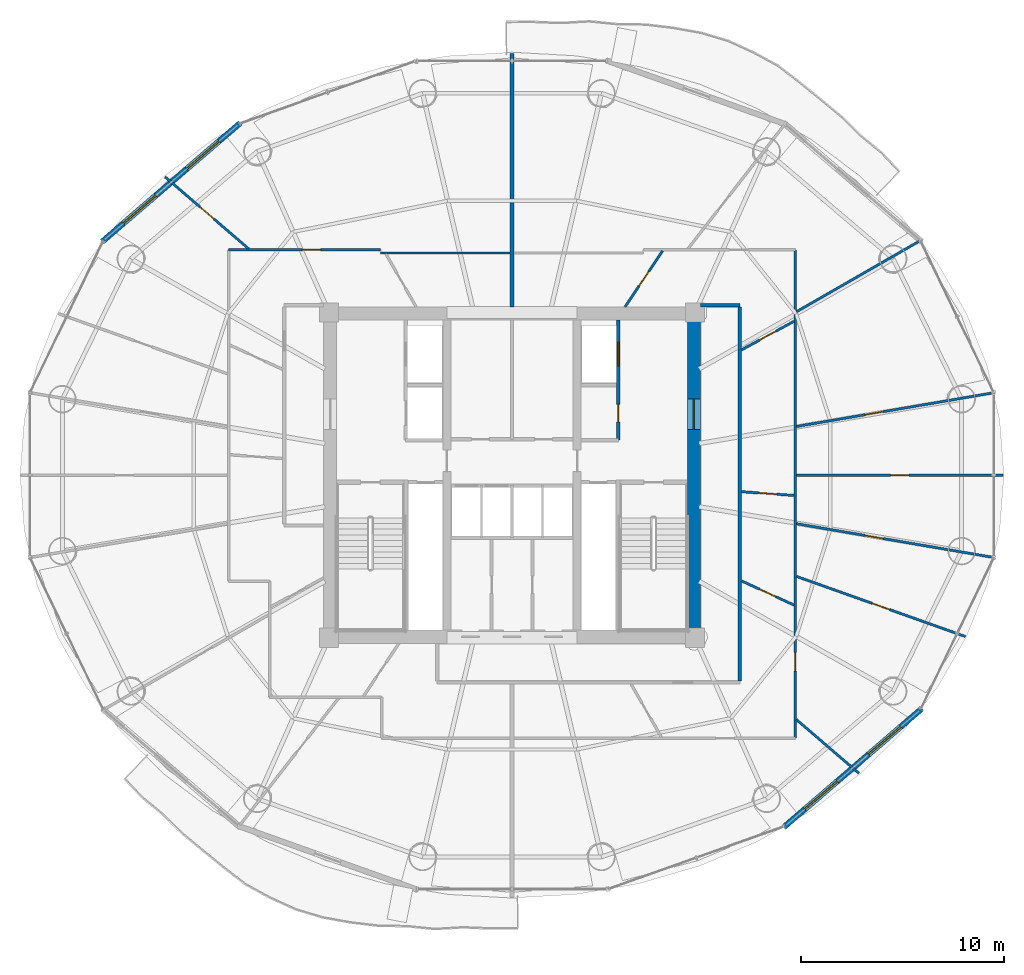
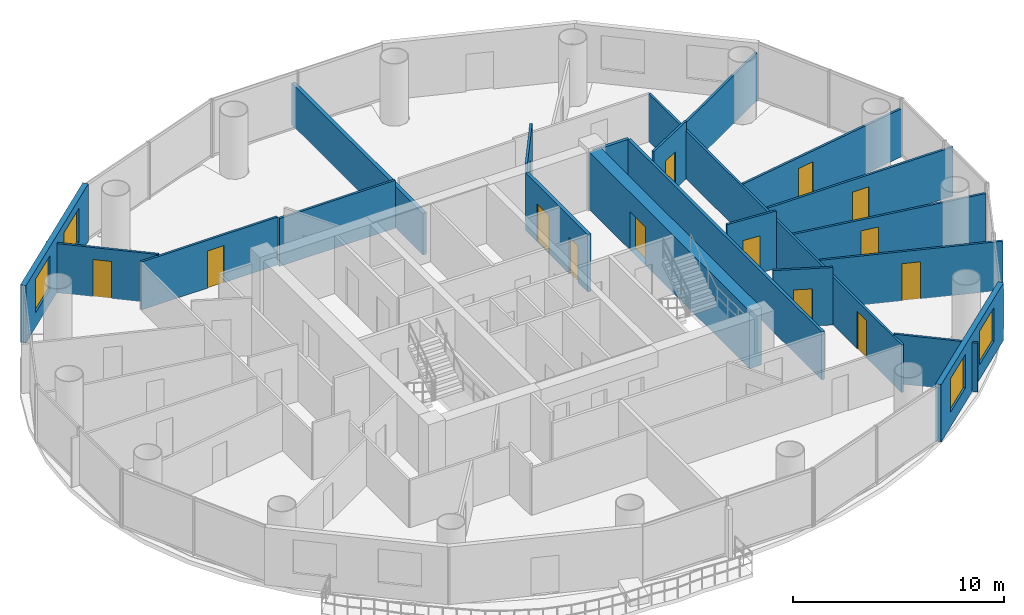
# One storey, part 22 of 26: 21 walls, 14 doors, 4 windows, 18 openings.
"""IFC4 building model written with IfcOpenShell, lengths in metres."""

import ifcopenshell
import ifcopenshell.guid

model = None  # the IFC model being written
_history = None  # IfcOwnerHistory: only IFC2X3 demands one
_inside = {}  # id of a spatial element -> (the spatial element, [elements in it])
_under = {}  # id of a project, library or spatial element -> (it, [spatial elements below it])
_declared = {}  # id of a project -> (the project, [libraries it declares])
_typed = {}  # id of a type object -> (the type object, [elements of that type])
_made_of = {}  # id of a material, layer set ... -> (it, [elements and type objects made of it])


def new_model(schema):
    """Start an empty IFC model of exactly this schema.

    Asked for "IFC4X3", IfcOpenShell would pick the latest addendum, in which some entities
    have other attributes; the version numbers below select the first issue.
    IFC2X3 requires an IfcOwnerHistory on every rooted entity: one is made here for all.
    """
    global model, _history
    if schema == "IFC4X3":
        model = ifcopenshell.file(schema_version=(4, 3, 0, 0))
    else:
        model = ifcopenshell.file(schema=schema)
    _inside.clear()
    _under.clear()
    _declared.clear()
    _typed.clear()
    _made_of.clear()
    _history = None
    if model.schema == "IFC2X3":
        org = make("IfcOrganization", Name="unknown")
        user = make(
            "IfcPersonAndOrganization",
            ThePerson=make("IfcPerson", FamilyName="unknown"),
            TheOrganization=org,
        )
        app = make(
            "IfcApplication",
            ApplicationDeveloper=org,
            Version="unknown",
            ApplicationFullName="unknown",
            ApplicationIdentifier="unknown",
        )
        _history = make(
            "IfcOwnerHistory",
            OwningUser=user,
            OwningApplication=app,
            ChangeAction="ADDED",
            CreationDate=0,
        )
    return model


def make(cls, **values):
    """One entity of the class cls with the attributes given. An attribute that is None is left unset."""
    return model.create_entity(
        cls, **{name: value for name, value in values.items() if value is not None}
    )


def rooted(cls, **values):
    """An entity with a GlobalId (a new one), such as an element, a storey or a relation."""
    return make(cls, GlobalId=ifcopenshell.guid.new(), OwnerHistory=_history, **values)


def si_unit(unit_type, name, prefix=None):
    """IfcSIUnit, for example si_unit("LENGTHUNIT", "METRE", prefix="MILLI")."""
    return make("IfcSIUnit", UnitType=unit_type, Prefix=prefix, Name=name)


def assignment(units):
    """IfcUnitAssignment: the units of a project."""
    return None if units is None else make("IfcUnitAssignment", Units=units)


def point(xyz):
    """IfcCartesianPoint."""
    return None if xyz is None else make("IfcCartesianPoint", Coordinates=xyz)


def direction(xyz):
    """IfcDirection."""
    return None if xyz is None else make("IfcDirection", DirectionRatios=xyz)


def frame(location, z_axis=None, x_axis=None):
    """IfcAxis2Placement3D, a coordinate frame: its origin and axes. An axis left out is left unset."""
    return make(
        "IfcAxis2Placement3D",
        Location=point(location),
        Axis=direction(z_axis),
        RefDirection=direction(x_axis),
    )


def frame_2d(location, x_axis=None):
    """IfcAxis2Placement2D, a coordinate frame in the plane: its origin and x axis."""
    return make(
        "IfcAxis2Placement2D", Location=point(location), RefDirection=direction(x_axis)
    )


def origin():
    """The frame at (0, 0, 0) with its axes left unset."""
    return frame((0.0, 0.0, 0.0))


def place(relative_to, where):
    """IfcLocalPlacement: puts the frame where relative to a parent placement (None: the world)."""
    return make(
        "IfcLocalPlacement", PlacementRelTo=relative_to, RelativePlacement=where
    )


def context(
    kind, dimensions, precision=None, world=None, true_north=None, identifier=None
):
    """IfcGeometricRepresentationContext, for example the 3D "Model" context."""
    return make(
        "IfcGeometricRepresentationContext",
        ContextIdentifier=identifier,
        ContextType=kind,
        CoordinateSpaceDimension=dimensions,
        Precision=precision,
        WorldCoordinateSystem=world,
        TrueNorth=true_north,
    )


def subcontext(parent, identifier, kind, view, scale=None):
    """IfcGeometricRepresentationSubContext, for example "Body" below "Model"."""
    return make(
        "IfcGeometricRepresentationSubContext",
        ContextIdentifier=identifier,
        ContextType=kind,
        ParentContext=parent,
        TargetScale=scale,
        TargetView=view,
    )


def project(units=None, contexts=None):
    """IfcProject with its units and contexts."""
    return rooted(
        "IfcProject",
        Name="project",
        RepresentationContexts=contexts,
        UnitsInContext=assignment(units),
    )


def spatial(cls, under=None, at=None, **own):
    """A site, building, storey or space (cls), placed at a placement, below another one or the project."""
    s = rooted(cls, ObjectPlacement=at, **own)
    if under is not None:
        _under.setdefault(under.id(), (under, []))[1].append(s)
    return s


def profile(cls, at=None, kind="AREA", **sizes):
    """A parametric profile (cls). Its sizes go by their IFC names, for example OverallWidth=200.0."""
    return make(cls, ProfileType=kind, Position=at, **sizes)


def rectangle(**sizes):
    """IfcRectangleProfileDef."""
    return profile("IfcRectangleProfileDef", **sizes)


def extrude(swept, where, along, depth):
    """IfcExtrudedAreaSolid: the profile swept, set in the frame where, extruded along a direction by depth."""
    return make(
        "IfcExtrudedAreaSolid",
        SweptArea=swept,
        Position=where,
        ExtrudedDirection=direction(along),
        Depth=depth,
    )


def shape(context_of_items, identifier, shape_type, items):
    """IfcShapeRepresentation: the items that make up one representation, for example the "Body"."""
    return make(
        "IfcShapeRepresentation",
        ContextOfItems=context_of_items,
        RepresentationIdentifier=identifier,
        RepresentationType=shape_type,
        Items=items,
    )


def source(mapping_origin, context_of_items, identifier, shape_type, items):
    """IfcRepresentationMap: a shape defined once, which mapped items show again and again."""
    return make(
        "IfcRepresentationMap",
        MappingOrigin=mapping_origin,
        MappedRepresentation=shape(context_of_items, identifier, shape_type, items),
    )


def transform(
    local_origin,
    x_axis=None,
    y_axis=None,
    z_axis=None,
    scale=None,
    scale2=None,
    scale3=None,
    uniform=True,
):
    """IfcCartesianTransformationOperator3D, or its non-uniform kind. x_axis, y_axis, z_axis: its Axis1, 2, 3."""
    if uniform:
        return make(
            "IfcCartesianTransformationOperator3D",
            Axis1=direction(x_axis),
            Axis2=direction(y_axis),
            LocalOrigin=point(local_origin),
            Scale=scale,
            Axis3=direction(z_axis),
        )
    return make(
        "IfcCartesianTransformationOperator3DnonUniform",
        Axis1=direction(x_axis),
        Axis2=direction(y_axis),
        LocalOrigin=point(local_origin),
        Scale=scale,
        Axis3=direction(z_axis),
        Scale2=scale2,
        Scale3=scale3,
    )


def mapped(mapping_source, mapping_target):
    """IfcMappedItem: shows the shape of a source again, moved by a transform."""
    return make(
        "IfcMappedItem", MappingSource=mapping_source, MappingTarget=mapping_target
    )


def material(Name=None, Category=None):
    """IfcMaterial."""
    return make("IfcMaterial", Name=Name, Category=Category)


def layer(
    of_material, thickness, ventilated=None, Name=None, Category=None, Priority=None
):
    """IfcMaterialLayer: one layer of a wall or slab, of a material (None: an air gap)."""
    return make(
        "IfcMaterialLayer",
        Material=of_material,
        LayerThickness=thickness,
        IsVentilated=ventilated,
        Name=Name,
        Category=Category,
        Priority=Priority,
    )


def layer_set(layers, Name=None):
    """IfcMaterialLayerSet."""
    return make("IfcMaterialLayerSet", MaterialLayers=layers, LayerSetName=Name)


def made_of(thing, what):
    """Note that an element or type object is made of a material, layer set ...; save() writes the relation."""
    if what is not None:
        _made_of.setdefault(what.id(), (what, []))[1].append(thing)
    return thing


def type_object(cls, material=None, **own):
    """A type object (cls), such as IfcWallType, which elements share."""
    return made_of(rooted(cls, **own), material)


def element(
    cls,
    number,
    at=None,
    inside=None,
    cuts=None,
    type_object=None,
    material=None,
    context=None,
    identifier="Body",
    shape_type=None,
    held_by="IfcProductDefinitionShape",
    body=None,
    shapes=None,
    **own,
):
    """One element of the class cls, such as IfcWall. Its Tag is "e" and its number.

    at: its placement. inside: the storey or other place that contains it. cuts: it is an
    opening in that element (IfcRelVoidsElement). A single representation is given by context,
    identifier, shape_type and body (its items); several are given by shapes. held_by: the class
    of the entity that holds the representations. save() writes the other relations.
    """
    e = rooted(cls, Tag="e%d" % number, ObjectPlacement=at, **own)
    if body is not None:
        shapes = [shape(context, identifier, shape_type, body)]
    if shapes is not None:
        e.Representation = make(held_by, Representations=shapes)
    if inside is not None:
        _inside.setdefault(inside.id(), (inside, []))[1].append(e)
    if cuts is not None:
        rooted(
            "IfcRelVoidsElement", RelatingBuildingElement=cuts, RelatedOpeningElement=e
        )
    if type_object is not None:
        _typed.setdefault(type_object.id(), (type_object, []))[1].append(e)
    return made_of(e, material)


def fill(opening, filler):
    """IfcRelFillsElement: the door or window that sits in an opening."""
    return rooted(
        "IfcRelFillsElement",
        RelatingOpeningElement=opening,
        RelatedBuildingElement=filler,
    )


def aggregate(whole, parts):
    """IfcRelAggregates: a whole, such as a stair, and the parts it consists of."""
    return rooted("IfcRelAggregates", RelatingObject=whole, RelatedObjects=parts)


def save(model, path):
    """Write the relations noted so far, then the file.

    IfcRelAggregates (storeys below a building ...), IfcRelContainedInSpatialStructure (elements
    in a storey), IfcRelDefinesByType, IfcRelAssociatesMaterial and IfcRelDeclares: one each for
    every whole, place, type object, material and project.
    """
    for whole, parts in _under.values():
        aggregate(whole, parts)
    for where, things in _inside.values():
        rooted(
            "IfcRelContainedInSpatialStructure",
            RelatedElements=things,
            RelatingStructure=where,
        )
    for kind, things in _typed.values():
        rooted("IfcRelDefinesByType", RelatedObjects=things, RelatingType=kind)
    for what, things in _made_of.values():
        rooted("IfcRelAssociatesMaterial", RelatedObjects=things, RelatingMaterial=what)
    for by, libraries in _declared.values():
        rooted("IfcRelDeclares", RelatingContext=by, RelatedDefinitions=libraries)
    model.write(path)


model = new_model("IFC4")

# Units and contexts
model_context = context("Model", 3, precision=1e-05, world=origin(), true_north=direction((-0.2419218956, 0.970295726276)))
body_context = subcontext(model_context, "Body", "Model", "MODEL_VIEW")
ifc_project = project(units=[si_unit("LENGTHUNIT", "METRE"), si_unit("AREAUNIT", "SQUARE_METRE"), si_unit("VOLUMEUNIT", "CUBIC_METRE"), si_unit("PLANEANGLEUNIT", "RADIAN"), si_unit("MASSUNIT", "GRAM", prefix="KILO")], contexts=[model_context])

# Site, building, storey
site_placement = place(None, origin())
site = spatial("IfcSite", under=ifc_project, at=site_placement, CompositionType="ELEMENT")
building_placement = place(site_placement, origin())
building = spatial("IfcBuilding", under=site, at=building_placement, Name="Cobrevalo Terracotta Tower", CompositionType="ELEMENT")
storey_placement = place(building_placement, frame((0.0, 0.0, 167.800048828125)))
storey = spatial("IfcBuildingStorey", under=building, at=storey_placement, Name="L44", CompositionType="ELEMENT", Elevation=167.800048828125)

# Wall, opening, door
ifc_material_1 = material(Name="Concrete C55", Category="concrete")
ifc_layer_1 = layer(ifc_material_1, 0.64990234375)
ifc_layer_set_1 = layer_set([ifc_layer_1], Name="Concrete C55")
wall_type_1 = type_object("IfcWallType", Name="Core shear wall 650 mm Concrete C55", PredefinedType="SHEAR", material=ifc_layer_set_1)
wall_1_placement = place(storey_placement, frame((46.949951171875, 19.175048828125, 0.0), z_axis=(0.0, 0.0, 1.0), x_axis=(0.0, 1.0, 0.0)))
wall_1 = element("IfcWall", 1, at=wall_1_placement, inside=storey, type_object=wall_type_1, Name="L44 east core shear wall", PredefinedType="SHEAR", context=body_context, shape_type="SweptSolid", body=[
    extrude(rectangle(XDim=15.25, YDim=0.64990234375, at=frame_2d((7.625, 0.0))), origin(), (0.0, 0.0, 1.0), 3.329833984375),
])
opening_1_placement = place(wall_1_placement, frame((9.875, 0.0, 0.0)))
opening_1 = element("IfcOpeningElement", 2, at=opening_1_placement, cuts=wall_1, Name="Opening ID-14", PredefinedType="OPENING", context=body_context, shape_type="SweptSolid", body=[
    extrude(rectangle(XDim=1.5, YDim=2.199951171875, at=frame_2d((0.75, 1.10009765625))), frame((0.0, 0.3349609375, 0.0), z_axis=(0.0, -1.0, 0.0), x_axis=(1.0, 0.0, 0.0)), (0.0, 0.0, 1.0), 0.669921875),
])
ifc_material_2 = material(Name="Galvanized fire-rated steel", Category="steel")
door_type_1 = type_object("IfcDoorType", Name="Core cross-lobby double fire door 1500x2200 EI 90", OperationType="NOTDEFINED", PredefinedType="DOOR", material=ifc_material_2)
shared_shape_1 = source(origin(), body_context, "Body", "SweptSolid", [
    extrude(rectangle(XDim=1.5, YDim=2.199951171875, at=frame_2d((0.75, 1.10009765625))), frame((0.0, 0.02490234375, 0.0), z_axis=(0.0, -1.0, 0.0), x_axis=(1.0, 0.0, 0.0)), (0.0, 0.0, 1.0), 0.050048828125),
])
door_1_placement = place(opening_1_placement, frame((1.5, 0.0, 0.0), z_axis=(0.0, 0.0, 1.0), x_axis=(-1.0, 0.0, 0.0)))
door_1 = element("IfcDoor", 3, at=door_1_placement, inside=storey, type_object=door_type_1, Name="L44 east firefighting lobby entrance door", OperationType="DOUBLE_DOOR_SINGLE_SWING", OverallHeight=2.199951171875, OverallWidth=1.5, PredefinedType="DOOR", context=body_context, shape_type="MappedRepresentation", body=[
    mapped(shared_shape_1, transform((0.0, 0.0, 0.0), scale=1.0)),
])
fill(opening_1, door_1)

# Walls
ifc_material_3 = material(Name="Gypsum board on steel stud", Category="steel")
ifc_layer_2 = layer(ifc_material_3, 0.159912109375)
ifc_layer_set_2 = layer_set([ifc_layer_2], Name="Gypsum board on steel stud")
wall_type_2 = type_object("IfcWallType", Name="Fire-rated corridor acoustic partition wall 160 mm", PredefinedType="PARTITIONING", material=ifc_layer_set_2)
wall_2_placement = place(storey_placement, frame((49.205078125, 16.675048828125, 0.0), z_axis=(0.0, 0.0, 1.0), x_axis=(0.0, 1.0, 0.0)))
element("IfcWall", 4, at=wall_2_placement, inside=storey, type_object=wall_type_2, Name="L44 interior partition IW-L44-COR-E", PredefinedType="PARTITIONING", context=body_context, shape_type="SweptSolid", body=[
    extrude(rectangle(XDim=18.39990234375, YDim=0.159912109375, at=frame_2d((9.199951171875, 0.0))), origin(), (0.0, 0.0, 1.0), 2.77587890625),
])
wall_3_placement = place(storey_placement, frame((47.27490234375, 35.155029296875, 0.0), z_axis=(0.0, 0.0, 1.0), x_axis=(1.0, 0.0, 0.0)))
element("IfcWall", 5, at=wall_3_placement, inside=storey, type_object=wall_type_2, Name="L44 interior partition IW-L44-COR-EN-CAP", PredefinedType="PARTITIONING", context=body_context, shape_type="SweptSolid", body=[
    extrude(rectangle(XDim=1.93017578125, YDim=0.159912109375, at=frame_2d((0.965087890625, 0.0))), origin(), (0.0, 0.0, 1.0), 2.77587890625),
])

# Wall, openings, doors
ifc_layer_3 = layer(ifc_material_3, 0.179931640625)
ifc_layer_set_3 = layer_set([ifc_layer_3], Name="Gypsum board on steel stud")
wall_type_3 = type_object("IfcWallType", Name="Fire-rated shaft & lobby acoustic partition wall 180 mm", PredefinedType="PARTITIONING", material=ifc_layer_set_3)
wall_4_placement = place(storey_placement, frame((43.22998046875, 28.52001953125, 0.0), z_axis=(0.0, 0.0, 1.0), x_axis=(0.0, 1.0, 0.0)))
wall_4 = element("IfcWall", 6, at=wall_4_placement, inside=storey, type_object=wall_type_3, Name="L44 interior partition IW-L44-FF2-E", PredefinedType="PARTITIONING", context=body_context, shape_type="SweptSolid", body=[
    extrude(rectangle(XDim=5.905029296875, YDim=0.179931640625, at=frame_2d((2.95263671875, 0.0))), origin(), (0.0, 0.0, 1.0), 3.329833984375),
])
opening_2_placement = place(wall_4_placement, frame((0.905029296875, 0.0, 0.0)))
opening_2 = element("IfcOpeningElement", 7, at=opening_2_placement, cuts=wall_4, Name="Opening ID-22", PredefinedType="OPENING", context=body_context, shape_type="SweptSolid", body=[
    extrude(rectangle(XDim=0.85009765625, YDim=2.10009765625, at=frame_2d((0.425048828125, 1.050048828125))), frame((0.0, 0.10009765625, 0.0), z_axis=(0.0, -1.0, 0.0), x_axis=(1.0, 0.0, 0.0)), (0.0, 0.0, 1.0), 0.199951171875),
])
opening_3_placement = place(wall_4_placement, frame((3.655029296875, 0.0, 0.0)))
opening_3 = element("IfcOpeningElement", 8, at=opening_3_placement, cuts=wall_4, Name="Opening LD-02", PredefinedType="OPENING", context=body_context, shape_type="SweptSolid", body=[
    extrude(rectangle(XDim=1.14990234375, YDim=2.199951171875, at=frame_2d((0.574951171875, 1.10009765625))), frame((0.0, 0.10009765625, 0.0), z_axis=(0.0, -1.0, 0.0), x_axis=(1.0, 0.0, 0.0)), (0.0, 0.0, 1.0), 0.199951171875),
])
ifc_material_4 = material(Name="Powder-coated steel", Category="steel")
door_type_2 = type_object("IfcDoorType", Name="Riser shaft & meter closet fire access door 850x2100 EI 60", OperationType="NOTDEFINED", PredefinedType="DOOR", material=ifc_material_4)
shared_shape_2 = source(origin(), body_context, "Body", "SweptSolid", [
    extrude(rectangle(XDim=0.85009765625, YDim=2.10009765625, at=frame_2d((0.425048828125, 1.050048828125))), frame((0.0, 0.02490234375, 0.0), z_axis=(0.0, -1.0, 0.0), x_axis=(1.0, 0.0, 0.0)), (0.0, 0.0, 1.0), 0.050048828125),
])
door_2_placement = place(opening_2_placement, frame((0.85009765625, 0.0, 0.0), z_axis=(0.0, 0.0, 1.0), x_axis=(-1.0, 0.0, 0.0)))
door_2 = element("IfcDoor", 9, at=door_2_placement, inside=storey, type_object=door_type_2, Name="L44 housekeeping store door", OperationType="SINGLE_SWING_RIGHT", OverallHeight=2.10009765625, OverallWidth=0.85009765625, PredefinedType="DOOR", context=body_context, shape_type="MappedRepresentation", body=[
    mapped(shared_shape_2, transform((0.0, 0.0, 0.0), scale=1.0)),
])
fill(opening_2, door_2)
ifc_material_5 = material(Name="Brushed stainless steel", Category="steel")
door_type_3 = type_object("IfcDoorType", Name="Firefighting lift landing bi-parting sliding door 1150x2200 EI 120", OperationType="DOUBLE_DOOR_SLIDING", PredefinedType="DOOR", material=ifc_material_5)
shared_shape_3 = source(origin(), body_context, "Body", "SweptSolid", [
    extrude(rectangle(XDim=1.14990234375, YDim=2.199951171875, at=frame_2d((0.574951171875, 1.10009765625))), frame((0.0, 0.02490234375, 0.0), z_axis=(0.0, -1.0, 0.0), x_axis=(1.0, 0.0, 0.0)), (0.0, 0.0, 1.0), 0.050048828125),
])
door_3_placement = place(opening_3_placement, origin())
door_3 = element("IfcDoor", 10, at=door_3_placement, inside=storey, type_object=door_type_3, Name="L44 lift landing door FF-2", OperationType="DOUBLE_DOOR_SLIDING", OverallHeight=2.199951171875, OverallWidth=1.14990234375, PredefinedType="DOOR", context=body_context, shape_type="MappedRepresentation", body=[
    mapped(shared_shape_3, transform((0.0, 0.0, 0.0), scale=1.0)),
])
fill(opening_3, door_3)

# Wall
ifc_material_6 = material(Name="Autoclaved aerated concrete block", Category="concrete")
ifc_layer_4 = layer(ifc_material_6, 0.199951171875)
ifc_layer_set_4 = layer_set([ifc_layer_4], Name="Autoclaved aerated concrete block")
wall_type_4 = type_object("IfcWallType", Name="Fire-rated stair, shaft & demising masonry wall 200 mm", PredefinedType="PARTITIONING", material=ifc_layer_set_4)
wall_5_placement = place(storey_placement, frame((38.0, 35.074951171875, 0.0), z_axis=(0.0, 0.0, 1.0), x_axis=(0.0, 1.0, 0.0)))
element("IfcWall", 11, at=wall_5_placement, inside=storey, type_object=wall_type_4, Name="L44 interior partition IW-L44-DEM-1", PredefinedType="PARTITIONING", context=body_context, shape_type="SweptSolid", body=[
    extrude(rectangle(XDim=12.465087890625, YDim=0.199951171875, at=frame_2d((6.232421875, 0.0))), origin(), (0.0, 0.0, 1.0), 2.4150390625),
])

# Wall, openings, windows
ifc_layer_5 = layer(ifc_material_6, 0.280029296875)
ifc_layer_set_5 = layer_set([ifc_layer_5], Name="Autoclaved aerated concrete block")
wall_type_5 = type_object("IfcWallType", Name="Insulated tower spandrel & pier wall 280 mm with terracotta rainscreen", PredefinedType="SOLIDWALL", material=ifc_layer_set_5)
wall_6_placement = place(storey_placement, frame((24.632568359375, 44.121826171875, 0.0), z_axis=(0.0, 0.0, 1.0), x_axis=(-0.75843401647, -0.651749831348, 0.0)))
wall_6 = element("IfcWall", 12, at=wall_6_placement, inside=storey, type_object=wall_type_5, Name="L44 terracotta rainscreen pier wall S06", PredefinedType="SOLIDWALL", context=body_context, shape_type="SweptSolid", body=[
    extrude(rectangle(XDim=8.952392578125, YDim=0.280029296875, at=frame_2d((4.47607421875, 0.0))), origin(), (0.0, 0.0, 1.0), 3.329833984375),
])
opening_4_placement = place(wall_6_placement, frame((1.3671875, 0.0, 0.85009765625)))
opening_4 = element("IfcOpeningElement", 13, at=opening_4_placement, cuts=wall_6, Name="Opening WN-10", PredefinedType="OPENING", context=body_context, shape_type="SweptSolid", body=[
    extrude(rectangle(XDim=2.10009765625, YDim=1.949951171875, at=frame_2d((1.050048828125, 0.97509765625))), frame((0.0, 0.14990234375, 0.0), z_axis=(0.0, -1.0, 0.0), x_axis=(1.0, 0.0, 0.0)), (0.0, 0.0, 1.0), 0.300048828125),
])
opening_5_placement = place(wall_6_placement, frame((5.4853515625, 0.0, 0.85009765625)))
opening_5 = element("IfcOpeningElement", 14, at=opening_5_placement, cuts=wall_6, Name="Opening WN-10", PredefinedType="OPENING", context=body_context, shape_type="SweptSolid", body=[
    extrude(rectangle(XDim=2.10009765625, YDim=1.949951171875, at=frame_2d((1.050048828125, 0.97509765625))), frame((0.0, 0.14990234375, 0.0), z_axis=(0.0, -1.0, 0.0), x_axis=(1.0, 0.0, 0.0)), (0.0, 0.0, 1.0), 0.300048828125),
])
ifc_material_7 = material(Name="Solar-control low-E double glazing", Category="glass")
window_type = type_object("IfcWindowType", Name="Wide panoramic low-E aluminium window 2100x1950", PartitioningType="SINGLE_PANEL", PredefinedType="WINDOW", material=ifc_material_7)
shared_shape_4 = source(origin(), body_context, "Body", "SweptSolid", [
    extrude(rectangle(XDim=2.10009765625, YDim=1.949951171875, at=frame_2d((1.050048828125, 0.97509765625))), frame((0.0, 0.030029296875, 0.0), z_axis=(0.0, -1.0, 0.0), x_axis=(1.0, 0.0, 0.0)), (0.0, 0.0, 1.0), 0.06005859375),
])
window_1_placement = place(opening_4_placement, origin())
window_1 = element("IfcWindow", 15, at=window_1_placement, inside=storey, type_object=window_type, Name="L44 suite window S06A", OverallHeight=1.949951171875, OverallWidth=2.10009765625, PartitioningType="SINGLE_PANEL", PredefinedType="WINDOW", context=body_context, shape_type="MappedRepresentation", body=[
    mapped(shared_shape_4, transform((0.0, 0.0, 0.0), scale=1.0)),
])
fill(opening_4, window_1)
window_2_placement = place(opening_5_placement, origin())
window_2 = element("IfcWindow", 16, at=window_2_placement, inside=storey, type_object=window_type, Name="L44 suite window S06B", OverallHeight=1.949951171875, OverallWidth=2.10009765625, PartitioningType="SINGLE_PANEL", PredefinedType="WINDOW", context=body_context, shape_type="MappedRepresentation", body=[
    mapped(shared_shape_4, transform((0.0, 0.0, 0.0), scale=1.0)),
])
fill(opening_5, window_2)

wall_7_placement = place(storey_placement, frame((51.367431640625, 9.478271484375, 0.0), z_axis=(0.0, 0.0, 1.0), x_axis=(0.75843401647, 0.651749831348, 0.0)))
wall_7 = element("IfcWall", 17, at=wall_7_placement, inside=storey, type_object=wall_type_5, Name="L44 terracotta rainscreen pier wall S14", PredefinedType="SOLIDWALL", context=body_context, shape_type="SweptSolid", body=[
    extrude(rectangle(XDim=8.952392578125, YDim=0.280029296875, at=frame_2d((4.47607421875, 0.0))), origin(), (0.0, 0.0, 1.0), 3.329833984375),
])
opening_6_placement = place(wall_7_placement, frame((1.3671875, 0.0, 0.85009765625)))
opening_6 = element("IfcOpeningElement", 18, at=opening_6_placement, cuts=wall_7, Name="Opening WN-10", PredefinedType="OPENING", context=body_context, shape_type="SweptSolid", body=[
    extrude(rectangle(XDim=2.10009765625, YDim=1.949951171875, at=frame_2d((1.050048828125, 0.97509765625))), frame((0.0, 0.14990234375, 0.0), z_axis=(0.0, -1.0, 0.0), x_axis=(1.0, 0.0, 0.0)), (0.0, 0.0, 1.0), 0.300048828125),
])
opening_7_placement = place(wall_7_placement, frame((5.4853515625, 0.0, 0.85009765625)))
opening_7 = element("IfcOpeningElement", 19, at=opening_7_placement, cuts=wall_7, Name="Opening WN-10", PredefinedType="OPENING", context=body_context, shape_type="SweptSolid", body=[
    extrude(rectangle(XDim=2.10009765625, YDim=1.949951171875, at=frame_2d((1.050048828125, 0.97509765625))), frame((0.0, 0.14990234375, 0.0), z_axis=(0.0, -1.0, 0.0), x_axis=(1.0, 0.0, 0.0)), (0.0, 0.0, 1.0), 0.300048828125),
])
window_3_placement = place(opening_6_placement, origin())
window_3 = element("IfcWindow", 20, at=window_3_placement, inside=storey, type_object=window_type, Name="L44 suite window S14A", OverallHeight=1.949951171875, OverallWidth=2.10009765625, PartitioningType="SINGLE_PANEL", PredefinedType="WINDOW", context=body_context, shape_type="MappedRepresentation", body=[
    mapped(shared_shape_4, transform((0.0, 0.0, 0.0), scale=1.0)),
])
fill(opening_6, window_3)
window_4_placement = place(opening_7_placement, origin())
window_4 = element("IfcWindow", 21, at=window_4_placement, inside=storey, type_object=window_type, Name="L44 suite window S14B", OverallHeight=1.949951171875, OverallWidth=2.10009765625, PartitioningType="SINGLE_PANEL", PredefinedType="WINDOW", context=body_context, shape_type="MappedRepresentation", body=[
    mapped(shared_shape_4, transform((0.0, 0.0, 0.0), scale=1.0)),
])
fill(opening_7, window_4)

# Wall, opening, door
ifc_layer_6 = layer(ifc_material_3, 0.1201171875)
ifc_layer_set_6 = layer_set([ifc_layer_6], Name="Gypsum board on steel stud")
wall_type_6 = type_object("IfcWallType", Name="Residential internal acoustic stud partition 120 mm", PredefinedType="PARTITIONING", material=ifc_layer_set_6)
wall_8_placement = place(storey_placement, frame((24.06494140625, 37.885009765625, 0.0), z_axis=(0.0, 0.0, 1.0), x_axis=(1.0, 0.0, 0.0)))
wall_8 = element("IfcWall", 22, at=wall_8_placement, inside=storey, type_object=wall_type_6, Name="L44 interior partition IW-L44-U1-RING6_0", PredefinedType="PARTITIONING", context=body_context, shape_type="SweptSolid", body=[
    extrude(rectangle(XDim=7.469970703125, YDim=0.1201171875, at=frame_2d((3.73486328125, 0.0))), origin(), (0.0, 0.0, 1.0), 2.77587890625),
])
opening_8_placement = place(wall_8_placement, frame((3.619873046875, 0.0, 0.0)))
opening_8 = element("IfcOpeningElement", 23, at=opening_8_placement, cuts=wall_8, Name="Opening ID-12", PredefinedType="OPENING", context=body_context, shape_type="SweptSolid", body=[
    extrude(rectangle(XDim=0.89990234375, YDim=2.14990234375, at=frame_2d((0.449951171875, 1.074951171875))), frame((0.0, 0.070068359375, 0.0), z_axis=(0.0, -1.0, 0.0), x_axis=(1.0, 0.0, 0.0)), (0.0, 0.0, 1.0), 0.14013671875),
])
ifc_material_8 = material(Name="Engineered timber", Category="wood")
door_type_4 = type_object("IfcDoorType", Name="Internal residence & suite timber door 900x2150", OperationType="NOTDEFINED", PredefinedType="DOOR", material=ifc_material_8)
shared_shape_5 = source(origin(), body_context, "Body", "SweptSolid", [
    extrude(rectangle(XDim=0.89990234375, YDim=2.14990234375, at=frame_2d((0.449951171875, 1.074951171875))), frame((0.0, 0.02490234375, 0.0), z_axis=(0.0, -1.0, 0.0), x_axis=(1.0, 0.0, 0.0)), (0.0, 0.0, 1.0), 0.050048828125),
])
door_4_placement = place(opening_8_placement, origin())
door_4 = element("IfcDoor", 24, at=door_4_placement, inside=storey, type_object=door_type_4, Name="Flat L44A Penthouse Living and Dining Room internal door", OperationType="SINGLE_SWING_LEFT", OverallHeight=2.14990234375, OverallWidth=0.89990234375, PredefinedType="DOOR", context=body_context, shape_type="MappedRepresentation", body=[
    mapped(shared_shape_5, transform((0.0, 0.0, 0.0), scale=1.0)),
])
fill(opening_8, door_4)

# Wall
wall_9_placement = place(storey_placement, frame((31.534912109375, 37.72509765625, 0.0), z_axis=(0.0, 0.0, 1.0), x_axis=(1.0, 0.0, 0.0)))
element("IfcWall", 25, at=wall_9_placement, inside=storey, type_object=wall_type_6, Name="L44 interior partition IW-L44-U1-RING8_0", PredefinedType="PARTITIONING", context=body_context, shape_type="SweptSolid", body=[
    extrude(rectangle(XDim=6.363037109375, YDim=0.1201171875, at=frame_2d((3.181640625, 0.0))), origin(), (0.0, 0.0, 1.0), 2.77587890625),
])

# Wall, opening, door
wall_10_placement = place(storey_placement, frame((25.055908203125, 37.92529296875, 0.0), z_axis=(0.0, 0.0, 1.0), x_axis=(-0.758354915574, 0.65184186888, 0.0)))
wall_10 = element("IfcWall", 26, at=wall_10_placement, inside=storey, type_object=wall_type_6, Name="L44 interior partition IW-L44-U1-ORAD1", PredefinedType="PARTITIONING", context=body_context, shape_type="SweptSolid", body=[
    extrude(rectangle(XDim=5.432373046875, YDim=0.1201171875, at=frame_2d((2.71630859375, 0.0))), origin(), (0.0, 0.0, 1.0), 2.845947265625),
])
opening_9_placement = place(wall_10_placement, frame((2.26611328125, 0.0, 0.0)))
opening_9 = element("IfcOpeningElement", 27, at=opening_9_placement, cuts=wall_10, Name="Opening ID-12", PredefinedType="OPENING", context=body_context, shape_type="SweptSolid", body=[
    extrude(rectangle(XDim=0.89990234375, YDim=2.14990234375, at=frame_2d((0.449951171875, 1.074951171875))), frame((0.0, 0.070068359375, 0.0), z_axis=(0.0, -1.0, 0.0), x_axis=(1.0, 0.0, 0.0)), (0.0, 0.0, 1.0), 0.14013671875),
])
door_5_placement = place(opening_9_placement, origin())
door_5 = element("IfcDoor", 28, at=door_5_placement, inside=storey, type_object=door_type_4, Name="Flat L44A Master Bedroom internal door", OperationType="SINGLE_SWING_RIGHT", OverallHeight=2.14990234375, OverallWidth=0.89990234375, PredefinedType="DOOR", context=body_context, shape_type="MappedRepresentation", body=[
    mapped(shared_shape_5, transform((0.0, 0.0, 0.0), scale=1.0)),
])
fill(opening_9, door_5)

wall_11_placement = place(storey_placement, frame((51.93505859375, 37.885009765625, 0.0), z_axis=(0.0, 0.0, 1.0), x_axis=(0.0, -1.0, 0.0)))
wall_11 = element("IfcWall", 29, at=wall_11_placement, inside=storey, type_object=wall_type_6, Name="L44 interior partition IW-L44-U2-RING3_0", PredefinedType="PARTITIONING", context=body_context, shape_type="SweptSolid", body=[
    extrude(rectangle(XDim=24.02001953125, YDim=0.1201171875, at=frame_2d((12.010009765625, 0.0))), origin(), (0.0, 0.0, 1.0), 2.77587890625),
])
opening_10_placement = place(wall_11_placement, frame((19.82080078125, 0.0, 0.0)))
opening_10 = element("IfcOpeningElement", 30, at=opening_10_placement, cuts=wall_11, Name="Opening ID-12", PredefinedType="OPENING", context=body_context, shape_type="SweptSolid", body=[
    extrude(rectangle(XDim=0.89990234375, YDim=2.14990234375, at=frame_2d((0.449951171875, 1.074951171875))), frame((0.0, 0.070068359375, 0.0), z_axis=(0.0, -1.0, 0.0), x_axis=(1.0, 0.0, 0.0)), (0.0, 0.0, 1.0), 0.14013671875),
])
door_6_placement = place(opening_10_placement, origin())
door_6 = element("IfcDoor", 31, at=door_6_placement, inside=storey, type_object=door_type_4, Name="Flat L44B Master Bedroom internal door", OperationType="SINGLE_SWING_RIGHT", OverallHeight=2.14990234375, OverallWidth=0.89990234375, PredefinedType="DOOR", context=body_context, shape_type="MappedRepresentation", body=[
    mapped(shared_shape_5, transform((0.0, 0.0, 0.0), scale=1.0)),
])
fill(opening_10, door_6)

# Wall
wall_12_placement = place(storey_placement, frame((51.98193359375, 14.782470703125, 0.0), z_axis=(0.0, 0.0, 1.0), x_axis=(0.758356837469, -0.651839632935, 0.0)))
element("IfcWall", 32, at=wall_12_placement, inside=storey, type_object=wall_type_6, Name="L44 interior partition IW-L44-U2-ORAD1", PredefinedType="PARTITIONING", context=body_context, shape_type="SweptSolid", body=[
    extrude(rectangle(XDim=4.063720703125, YDim=0.1201171875, at=frame_2d((2.03173828125, 0.0))), origin(), (0.0, 0.0, 1.0), 2.845947265625),
])

# Wall, opening, door
wall_13_placement = place(storey_placement, frame((51.993408203125, 21.818115234375, 0.0), z_axis=(0.0, 0.0, 1.0), x_axis=(0.942077868165, -0.335394231187, 0.0)))
wall_13 = element("IfcWall", 33, at=wall_13_placement, inside=storey, type_object=wall_type_6, Name="L44 interior partition IW-L44-U2-ORAD2", PredefinedType="PARTITIONING", context=body_context, shape_type="SweptSolid", body=[
    extrude(rectangle(XDim=8.816650390625, YDim=0.1201171875, at=frame_2d((4.408203125, 0.0))), origin(), (0.0, 0.0, 1.0), 2.845947265625),
])
opening_11_placement = place(wall_13_placement, frame((3.95849609375, 0.0, 0.0)))
opening_11 = element("IfcOpeningElement", 34, at=opening_11_placement, cuts=wall_13, Name="Opening ID-12", PredefinedType="OPENING", context=body_context, shape_type="SweptSolid", body=[
    extrude(rectangle(XDim=0.89990234375, YDim=2.14990234375, at=frame_2d((0.449951171875, 1.074951171875))), frame((0.0, 0.070068359375, 0.0), z_axis=(0.0, -1.0, 0.0), x_axis=(1.0, 0.0, 0.0)), (0.0, 0.0, 1.0), 0.14013671875),
])
door_7_placement = place(opening_11_placement, origin())
door_7 = element("IfcDoor", 35, at=door_7_placement, inside=storey, type_object=door_type_4, Name="Flat L44B Principal Guest Bedroom internal door", OperationType="SINGLE_SWING_LEFT", OverallHeight=2.14990234375, OverallWidth=0.89990234375, PredefinedType="DOOR", context=body_context, shape_type="MappedRepresentation", body=[
    mapped(shared_shape_5, transform((0.0, 0.0, 0.0), scale=1.0)),
])
fill(opening_11, door_7)

wall_14_placement = place(storey_placement, frame((51.99609375, 24.4072265625, 0.0), z_axis=(0.0, 0.0, 1.0), x_axis=(0.985698378271, -0.168519159369, 0.0)))
wall_14 = element("IfcWall", 36, at=wall_14_placement, inside=storey, type_object=wall_type_6, Name="L44 interior partition IW-L44-U2-ORAD3M1", PredefinedType="PARTITIONING", context=body_context, shape_type="SweptSolid", body=[
    extrude(rectangle(XDim=9.768798828125, YDim=0.1201171875, at=frame_2d((4.88427734375, 0.0))), origin(), (0.0, 0.0, 1.0), 2.77587890625),
])
opening_12_placement = place(wall_14_placement, frame((3.427734375, 0.0, 0.0)))
opening_12 = element("IfcOpeningElement", 37, at=opening_12_placement, cuts=wall_14, Name="Opening ID-12", PredefinedType="OPENING", context=body_context, shape_type="SweptSolid", body=[
    extrude(rectangle(XDim=0.89990234375, YDim=2.14990234375, at=frame_2d((0.449951171875, 1.074951171875))), frame((0.0, 0.070068359375, 0.0), z_axis=(0.0, -1.0, 0.0), x_axis=(1.0, 0.0, 0.0)), (0.0, 0.0, 1.0), 0.14013671875),
])
door_8_placement = place(opening_12_placement, origin())
door_8 = element("IfcDoor", 38, at=door_8_placement, inside=storey, type_object=door_type_4, Name="Flat L44B North Bedroom internal door", OperationType="SINGLE_SWING_RIGHT", OverallHeight=2.14990234375, OverallWidth=0.89990234375, PredefinedType="DOOR", context=body_context, shape_type="MappedRepresentation", body=[
    mapped(shared_shape_5, transform((0.0, 0.0, 0.0), scale=1.0)),
])
fill(opening_12, door_8)

wall_15_placement = place(storey_placement, frame((51.9970703125, 26.800048828125, 0.0), z_axis=(0.0, 0.0, 1.0), x_axis=(1.0, 0.0, 0.0)))
wall_15 = element("IfcWall", 39, at=wall_15_placement, inside=storey, type_object=wall_type_6, Name="L44 interior partition IW-L44-U2-ORAD3", PredefinedType="PARTITIONING", context=body_context, shape_type="SweptSolid", body=[
    extrude(rectangle(XDim=10.142822265625, YDim=0.1201171875, at=frame_2d((5.0712890625, 0.0))), origin(), (0.0, 0.0, 1.0), 2.845947265625),
])
opening_13_placement = place(wall_15_placement, frame((4.62158203125, 0.0, 0.0)))
opening_13 = element("IfcOpeningElement", 40, at=opening_13_placement, cuts=wall_15, Name="Opening ID-12", PredefinedType="OPENING", context=body_context, shape_type="SweptSolid", body=[
    extrude(rectangle(XDim=0.89990234375, YDim=2.14990234375, at=frame_2d((0.449951171875, 1.074951171875))), frame((0.0, 0.070068359375, 0.0), z_axis=(0.0, -1.0, 0.0), x_axis=(1.0, 0.0, 0.0)), (0.0, 0.0, 1.0), 0.14013671875),
])
door_9_placement = place(opening_13_placement, origin())
door_9 = element("IfcDoor", 41, at=door_9_placement, inside=storey, type_object=door_type_4, Name="Flat L44B South Bedroom internal door", OperationType="SINGLE_SWING_LEFT", OverallHeight=2.14990234375, OverallWidth=0.89990234375, PredefinedType="DOOR", context=body_context, shape_type="MappedRepresentation", body=[
    mapped(shared_shape_5, transform((0.0, 0.0, 0.0), scale=1.0)),
])
fill(opening_13, door_9)

wall_16_placement = place(storey_placement, frame((51.99609375, 29.19287109375, 0.0), z_axis=(0.0, 0.0, 1.0), x_axis=(0.985698378271, 0.168519159369, 0.0)))
wall_16 = element("IfcWall", 42, at=wall_16_placement, inside=storey, type_object=wall_type_6, Name="L44 interior partition IW-L44-U2-ORAD4M1", PredefinedType="PARTITIONING", context=body_context, shape_type="SweptSolid", body=[
    extrude(rectangle(XDim=9.768798828125, YDim=0.1201171875, at=frame_2d((4.88427734375, 0.0))), origin(), (0.0, 0.0, 1.0), 2.77587890625),
])
opening_14_placement = place(wall_16_placement, frame((3.42822265625, 0.0, 0.0)))
opening_14 = element("IfcOpeningElement", 43, at=opening_14_placement, cuts=wall_16, Name="Opening ID-12", PredefinedType="OPENING", context=body_context, shape_type="SweptSolid", body=[
    extrude(rectangle(XDim=0.89990234375, YDim=2.14990234375, at=frame_2d((0.449951171875, 1.074951171875))), frame((0.0, 0.070068359375, 0.0), z_axis=(0.0, -1.0, 0.0), x_axis=(1.0, 0.0, 0.0)), (0.0, 0.0, 1.0), 0.14013671875),
])
door_10_placement = place(opening_14_placement, origin())
door_10 = element("IfcDoor", 44, at=door_10_placement, inside=storey, type_object=door_type_4, Name="Flat L44B Penthouse Family Lounge internal door", OperationType="SINGLE_SWING_RIGHT", OverallHeight=2.14990234375, OverallWidth=0.89990234375, PredefinedType="DOOR", context=body_context, shape_type="MappedRepresentation", body=[
    mapped(shared_shape_5, transform((0.0, 0.0, 0.0), scale=1.0)),
])
fill(opening_14, door_10)

# Wall
wall_17_placement = place(storey_placement, frame((51.98876953125, 34.833740234375, 0.0), z_axis=(0.0, 0.0, 1.0), x_axis=(0.86717064002, 0.498011125466, 0.0)))
element("IfcWall", 45, at=wall_17_placement, inside=storey, type_object=wall_type_6, Name="L44 interior partition IW-L44-U2-ORAD4", PredefinedType="PARTITIONING", context=body_context, shape_type="SweptSolid", body=[
    extrude(rectangle(XDim=6.961181640625, YDim=0.1201171875, at=frame_2d((3.48046875, 0.0))), origin(), (0.0, 0.0, 1.0), 2.77587890625),
])

# Wall, opening, door
wall_18_placement = place(storey_placement, frame((49.286865234375, 21.598388671875, 0.0), z_axis=(0.0, 0.0, 1.0), x_axis=(0.908177096136, -0.418586146514, 0.0)))
wall_18 = element("IfcWall", 46, at=wall_18_placement, inside=storey, type_object=wall_type_6, Name="L44 interior partition IW-L44-U2-IRAD2", PredefinedType="PARTITIONING", context=body_context, shape_type="SweptSolid", body=[
    extrude(rectangle(XDim=2.853759765625, YDim=0.1201171875, at=frame_2d((1.4267578125, 0.0))), origin(), (0.0, 0.0, 1.0), 3.329833984375),
])
opening_15_placement = place(wall_18_placement, frame((0.976806640625, 0.0, 0.0)))
opening_15 = element("IfcOpeningElement", 47, at=opening_15_placement, cuts=wall_18, Name="Opening ID-12", PredefinedType="OPENING", context=body_context, shape_type="SweptSolid", body=[
    extrude(rectangle(XDim=0.89990234375, YDim=2.14990234375, at=frame_2d((0.449951171875, 1.074951171875))), frame((0.0, 0.070068359375, 0.0), z_axis=(0.0, -1.0, 0.0), x_axis=(1.0, 0.0, 0.0)), (0.0, 0.0, 1.0), 0.14013671875),
])
door_11_placement = place(opening_15_placement, origin())
door_11 = element("IfcDoor", 48, at=door_11_placement, inside=storey, type_object=door_type_4, Name="Flat L44B Kitchen internal door", OperationType="SINGLE_SWING_RIGHT", OverallHeight=2.14990234375, OverallWidth=0.89990234375, PredefinedType="DOOR", context=body_context, shape_type="MappedRepresentation", body=[
    mapped(shared_shape_5, transform((0.0, 0.0, 0.0), scale=1.0)),
])
fill(opening_15, door_11)

wall_19_placement = place(storey_placement, frame((49.287109375, 25.9853515625, 0.0), z_axis=(0.0, 0.0, 1.0), x_axis=(0.997408744903, -0.07194300237, 0.0)))
wall_19 = element("IfcWall", 49, at=wall_19_placement, inside=storey, type_object=wall_type_6, Name="L44 interior partition IW-L44-U2-IRAD3", PredefinedType="PARTITIONING", context=body_context, shape_type="SweptSolid", body=[
    extrude(rectangle(XDim=2.5927734375, YDim=0.1201171875, at=frame_2d((1.29638671875, 0.0))), origin(), (0.0, 0.0, 1.0), 3.329833984375),
])
opening_16_placement = place(wall_19_placement, frame((0.846435546875, 0.0, 0.0)))
opening_16 = element("IfcOpeningElement", 50, at=opening_16_placement, cuts=wall_19, Name="Opening ID-12", PredefinedType="OPENING", context=body_context, shape_type="SweptSolid", body=[
    extrude(rectangle(XDim=0.89990234375, YDim=2.14990234375, at=frame_2d((0.449951171875, 1.074951171875))), frame((0.0, 0.070068359375, 0.0), z_axis=(0.0, -1.0, 0.0), x_axis=(1.0, 0.0, 0.0)), (0.0, 0.0, 1.0), 0.14013671875),
])
door_12_placement = place(opening_16_placement, origin())
door_12 = element("IfcDoor", 51, at=door_12_placement, inside=storey, type_object=door_type_4, Name="Flat L44B Private Library Meeting Room internal door", OperationType="SINGLE_SWING_LEFT", OverallHeight=2.14990234375, OverallWidth=0.89990234375, PredefinedType="DOOR", context=body_context, shape_type="MappedRepresentation", body=[
    mapped(shared_shape_5, transform((0.0, 0.0, 0.0), scale=1.0)),
])
fill(opening_16, door_12)

wall_20_placement = place(storey_placement, frame((49.286865234375, 32.95654296875, 0.0), z_axis=(0.0, 0.0, 1.0), x_axis=(0.877892414948, 0.47885792024, 0.0)))
wall_20 = element("IfcWall", 52, at=wall_20_placement, inside=storey, type_object=wall_type_6, Name="L44 interior partition IW-L44-U2-IRAD4", PredefinedType="PARTITIONING", context=body_context, shape_type="SweptSolid", body=[
    extrude(rectangle(XDim=2.95458984375, YDim=0.1201171875, at=frame_2d((1.477294921875, 0.0))), origin(), (0.0, 0.0, 1.0), 3.329833984375),
])
opening_17_placement = place(wall_20_placement, frame((1.02734375, 0.0, 0.0)))
opening_17 = element("IfcOpeningElement", 53, at=opening_17_placement, cuts=wall_20, Name="Opening ID-12", PredefinedType="OPENING", context=body_context, shape_type="SweptSolid", body=[
    extrude(rectangle(XDim=0.89990234375, YDim=2.14990234375, at=frame_2d((0.449951171875, 1.074951171875))), frame((0.0, 0.070068359375, 0.0), z_axis=(0.0, -1.0, 0.0), x_axis=(1.0, 0.0, 0.0)), (0.0, 0.0, 1.0), 0.14013671875),
])
door_13_placement = place(opening_17_placement, origin())
door_13 = element("IfcDoor", 54, at=door_13_placement, inside=storey, type_object=door_type_4, Name="Flat L44B Utility Closet internal door", OperationType="SINGLE_SWING_RIGHT", OverallHeight=2.14990234375, OverallWidth=0.89990234375, PredefinedType="DOOR", context=body_context, shape_type="MappedRepresentation", body=[
    mapped(shared_shape_5, transform((0.0, 0.0, 0.0), scale=1.0)),
])
fill(opening_17, door_13)

wall_21_placement = place(storey_placement, frame((43.55859375, 35.074951171875, 0.0), z_axis=(0.0, 0.0, 1.0), x_axis=(0.557612855606, 0.830101140381, 0.0)))
wall_21 = element("IfcWall", 55, at=wall_21_placement, inside=storey, type_object=wall_type_6, Name="L44 interior partition IW-L44-U2-IRAD5", PredefinedType="PARTITIONING", context=body_context, shape_type="SweptSolid", body=[
    extrude(rectangle(XDim=3.3232421875, YDim=0.1201171875, at=frame_2d((1.66162109375, 0.0))), origin(), (0.0, 0.0, 1.0), 3.329833984375),
])
opening_18_placement = place(wall_21_placement, frame((1.231689453125, 0.0, 0.0)))
opening_18 = element("IfcOpeningElement", 56, at=opening_18_placement, cuts=wall_21, Name="Opening ID-19", PredefinedType="OPENING", context=body_context, shape_type="SweptSolid", body=[
    extrude(rectangle(XDim=0.860107421875, YDim=2.14990234375, at=frame_2d((0.43017578125, 1.074951171875))), frame((0.0, 0.070068359375, 0.0), z_axis=(0.0, -1.0, 0.0), x_axis=(1.0, 0.0, 0.0)), (0.0, 0.0, 1.0), 0.14013671875),
])
ifc_material_9 = material(Name="Moisture-sealed timber", Category="wood")
door_type_5 = type_object("IfcDoorType", Name="Suite bathroom internal timber door 860x2150", OperationType="NOTDEFINED", PredefinedType="DOOR", material=ifc_material_9)
shared_shape_6 = source(origin(), body_context, "Body", "SweptSolid", [
    extrude(rectangle(XDim=0.860107421875, YDim=2.14990234375, at=frame_2d((0.43017578125, 1.074951171875))), frame((0.0, 0.02490234375, 0.0), z_axis=(0.0, -1.0, 0.0), x_axis=(1.0, 0.0, 0.0)), (0.0, 0.0, 1.0), 0.050048828125),
])
door_14_placement = place(opening_18_placement, origin())
door_14 = element("IfcDoor", 57, at=door_14_placement, inside=storey, type_object=door_type_5, Name="Flat L44B Guest Bathroom internal door", OperationType="SINGLE_SWING_LEFT", OverallHeight=2.14990234375, OverallWidth=0.860107421875, PredefinedType="DOOR", context=body_context, shape_type="MappedRepresentation", body=[
    mapped(shared_shape_6, transform((0.0, 0.0, 0.0), scale=1.0)),
])
fill(opening_18, door_14)

save(model, "model.ifc")
